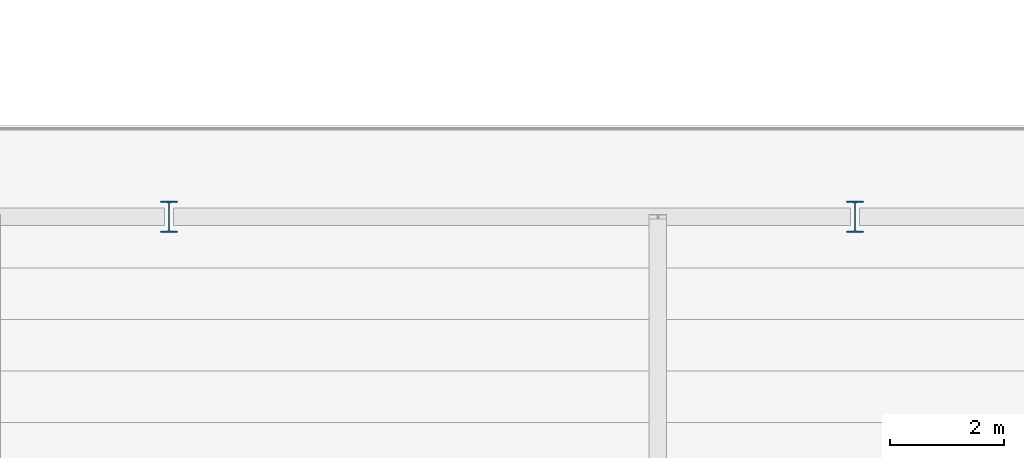
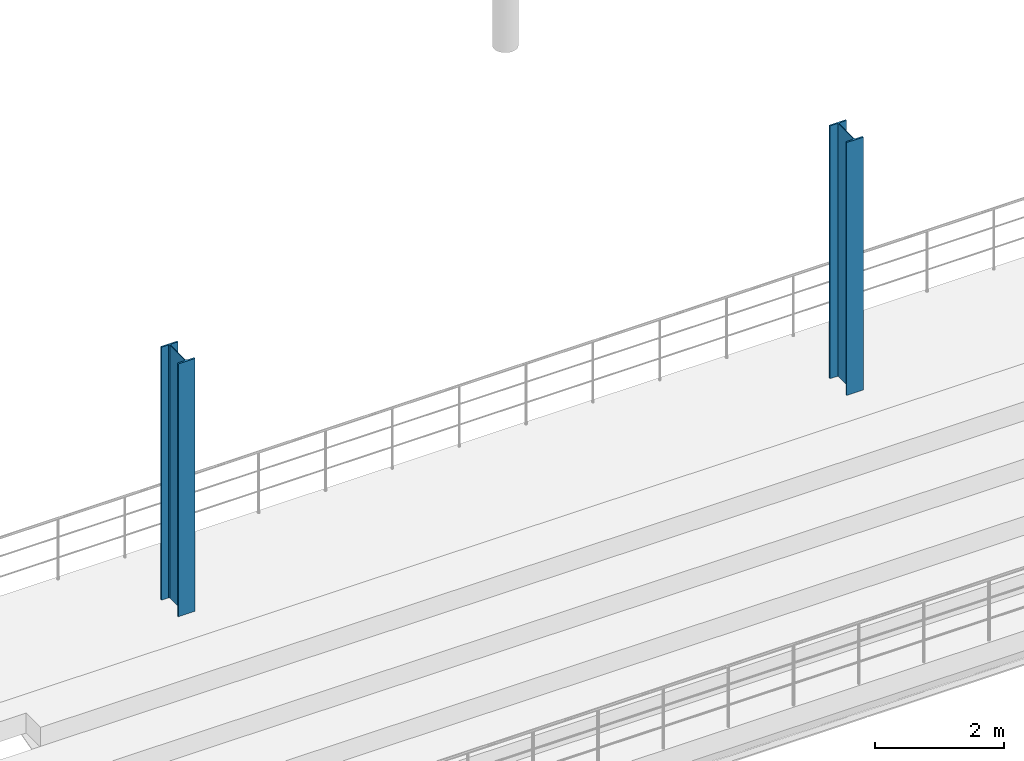
# One storey, part 4 of 52: 2 columns.
"""IFC4 building model written with IfcOpenShell, lengths in metres."""

from ifc_helpers import new_model, si_unit, direction, frame, origin, origin_2d, place, context, subcontext, project, spatial, i_section, extrude, material, material_profile, profile_set, type_object, element, save


model = new_model("IFC4")

# Units and contexts
model_context = context("Model", 3, precision=1e-05, world=origin(), true_north=direction((0.0, 1.0)))
body_context = subcontext(model_context, "Body", "Model", "MODEL_VIEW")
ifc_project = project(units=[si_unit("LENGTHUNIT", "METRE"), si_unit("AREAUNIT", "SQUARE_METRE"), si_unit("VOLUMEUNIT", "CUBIC_METRE"), si_unit("PLANEANGLEUNIT", "RADIAN"), si_unit("MASSUNIT", "GRAM", prefix="KILO"), si_unit("THERMODYNAMICTEMPERATUREUNIT", "KELVIN"), si_unit("POWERUNIT", "WATT")], contexts=[model_context])

# Site, building, storey
site_placement = place(None, origin())
site = spatial("IfcSite", under=ifc_project, at=site_placement, CompositionType="ELEMENT")
building_placement = place(site_placement, origin())
building = spatial("IfcBuilding", under=site, at=building_placement, Name="Solmara Park Aquatics Centre", CompositionType="ELEMENT")
storey_placement = place(building_placement, frame((0.0, 0.0, 9.60009765625)))
storey = spatial("IfcBuildingStorey", under=building, at=storey_placement, Name="L02", CompositionType="ELEMENT", Elevation=9.60009765625)

# Columns
ifc_material = material(Name="Structural Steel S355", Category="steel")
ifc_material_profile = material_profile(ifc_material, i_section(OverallWidth=0.300048828125, OverallDepth=0.550048828125, WebThickness=0.014892578125, FlangeThickness=0.029052734375, FilletRadius=0.027099609375, at=origin_2d()), Name="HEB 550")
ifc_profile_set = profile_set([ifc_material_profile], Name="Structural Steel S355")
column_type = type_object("IfcColumnType", Name="STR-COL-HEB550", PredefinedType="COLUMN", material=ifc_profile_set)
for number, where, z_axis, x_axis, name in (
    (1, (60.60009765625, 62.0, 0.0), (0.0, 0.0, 1.0), (1.0, 0.0, 0.0), "Column L02-0493"),
    (2, (72.60009765625, 62.0, 0.0), (0.0, 0.0, 1.0), (1.0, 0.0, 0.0), "Column L02-0501"),
):
    element("IfcColumn", number, at=place(storey_placement, frame(where, z_axis=z_axis, x_axis=x_axis)), inside=storey, type_object=column_type, Name=name, PredefinedType="COLUMN", context=body_context, shape_type="SweptSolid", body=[
        extrude(i_section(OverallWidth=0.300048828125, OverallDepth=0.550048828125, WebThickness=0.014892578125, FlangeThickness=0.029052734375, FilletRadius=0.027099609375, at=origin_2d()), origin(), (0.0, 0.0, 1.0), 4.7998046875),
    ])

save(model, "model.ifc")
